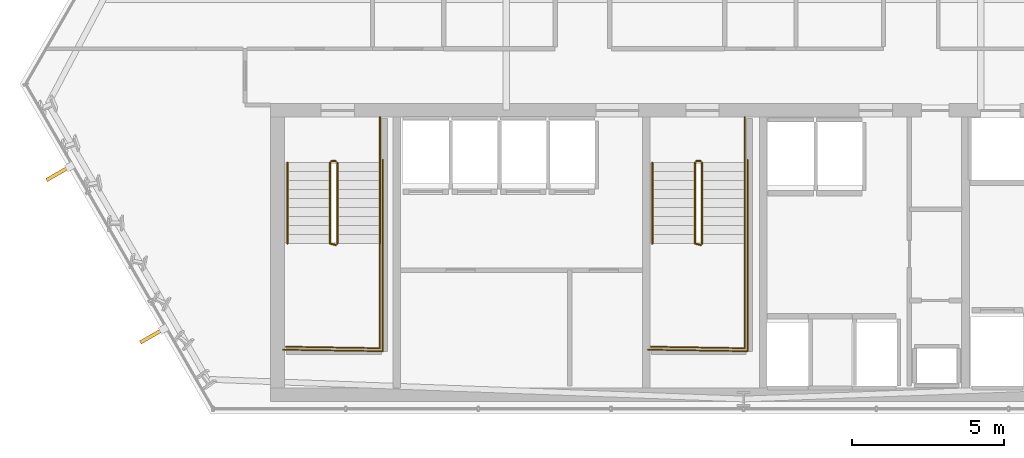
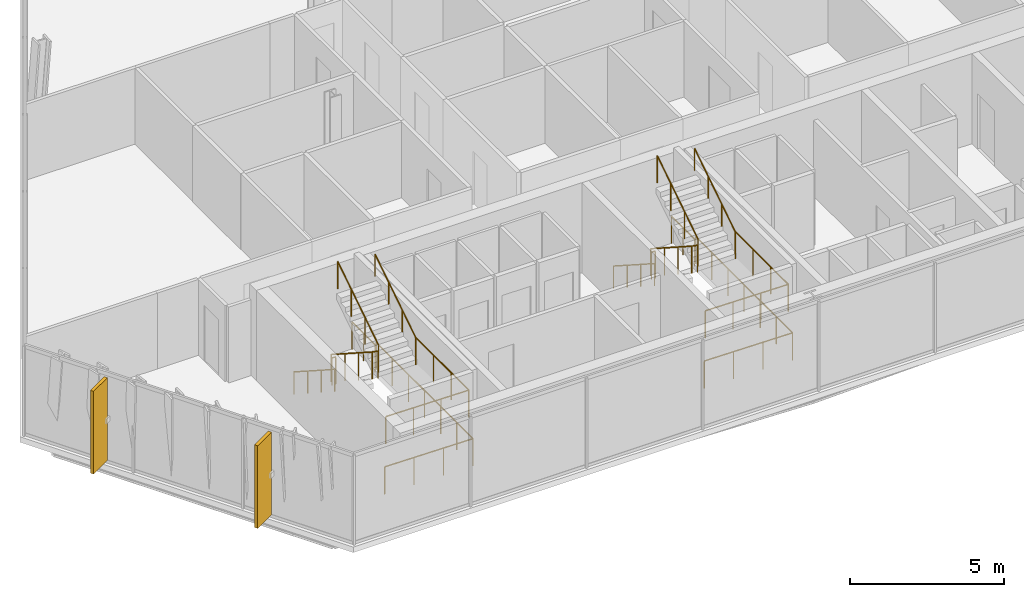
# One storey, part 29 of 32: 16 railings, 2 shading devices.
"""IFC4 building model written with IfcOpenShell, lengths in metres."""

from ifc_helpers import new_model, si_unit, direction, frame, origin, origin_2d, place, context, subcontext, project, spatial, rectangle, circle, extrude, material, layer, layer_set, type_object, element, save


model = new_model("IFC4")

# Units and contexts
model_context = context("Model", 3, precision=1e-05, world=origin(), true_north=direction((0.0, 1.0)))
body_context = subcontext(model_context, "Body", "Model", "MODEL_VIEW")
ifc_project = project(units=[si_unit("LENGTHUNIT", "METRE"), si_unit("AREAUNIT", "SQUARE_METRE"), si_unit("VOLUMEUNIT", "CUBIC_METRE"), si_unit("PLANEANGLEUNIT", "RADIAN"), si_unit("MASSUNIT", "GRAM", prefix="KILO")], contexts=[model_context])

# Site, building, storey
site_placement = place(None, origin())
site = spatial("IfcSite", under=ifc_project, at=site_placement, CompositionType="ELEMENT")
building_placement = place(site_placement, origin())
building = spatial("IfcBuilding", under=site, at=building_placement, Name="Ndaravel Arena Tower", CompositionType="ELEMENT")
storey_placement = place(building_placement, frame((0.0, 0.0, 134.60009765625)))
storey = spatial("IfcBuildingStorey", under=building, at=storey_placement, Name="L31", CompositionType="ELEMENT", Elevation=134.60009765625)

# Railings
ifc_material_1 = material(Name="Steel S355", Category="steel")
ifc_layer_1 = layer(ifc_material_1, 0.06005859375)
ifc_layer_set_1 = layer_set([ifc_layer_1], Name="Steel S355")
railing_type_1 = type_object("IfcRailingType", Name="RAIL-STAIR-GD1100", PredefinedType="GUARDRAIL", material=ifc_layer_set_1)
railing_1_placement = place(storey_placement, frame((28.39990234375, 13.25, 0.18994140625)))
element("IfcRailing", 1, at=railing_1_placement, inside=storey, type_object=railing_type_1, Name="L31 ST-1 stair guard 1", PredefinedType="GUARDRAIL", context=body_context, shape_type="SweptSolid", body=[
    extrude(circle(Radius=0.02392578125, at=origin_2d()), frame((0.0, 0.0, 1.076171875), z_axis=(0.0, -0.840723540582, 0.54146461409), x_axis=(1.0, 0.0, 0.0)), (0.0, 0.0, 1.0), 3.157958984375),
    extrude(circle(Radius=0.02392578125, at=origin_2d()), frame((0.0, -2.655029296875, 2.7861328125), z_axis=(0.967074537263, -0.25449329928, 0.0), x_axis=(0.25449329928, 0.967074537263, 0.0)), (0.0, 0.0, 1.0), 0.19677734375),
    extrude(circle(Radius=0.02099609375, at=origin_2d()), origin(), (0.0, 0.0, 1.0), 1.052001953125),
    extrude(circle(Radius=0.02099609375, at=origin_2d()), frame((0.0, -0.885009765625, 0.570068359375)), (0.0, 0.0, 1.0), 1.052001953125),
    extrude(circle(Radius=0.02099609375, at=origin_2d()), frame((0.0, -1.77001953125, 1.139892578125)), (0.0, 0.0, 1.0), 1.052001953125),
    extrude(circle(Radius=0.02099609375, at=origin_2d()), frame((0.0, -2.655029296875, 1.7099609375)), (0.0, 0.0, 1.0), 1.052001953125),
    extrude(circle(Radius=0.02099609375, at=origin_2d()), frame((0.190185546875, -2.705078125, 1.7099609375)), (0.0, 0.0, 1.0), 1.052001953125),
])
railing_2_placement = place(storey_placement, frame((30.0400390625, 10.594970703125, 1.89990234375)))
element("IfcRailing", 2, at=railing_2_placement, inside=storey, type_object=railing_type_1, Name="L31 ST-1 stair guard 2", PredefinedType="GUARDRAIL", context=body_context, shape_type="SweptSolid", body=[
    extrude(circle(Radius=0.02392578125, at=origin_2d()), frame((0.0, 0.0, 1.076171875), z_axis=(0.0, -1.0, 0.0), x_axis=(1.0, 0.0, 0.0)), (0.0, 0.0, 1.0), 3.445068359375),
    extrude(circle(Radius=0.02392578125, at=origin_2d()), frame((0.0, -3.445068359375, 1.076171875), z_axis=(-0.999868861343, 0.016194447071, 0.0), x_axis=(-0.016194447071, -0.999868861343, 0.0)), (0.0, 0.0, 1.0), 3.090576171875),
    extrude(circle(Radius=0.02099609375, at=origin_2d()), origin(), (0.0, 0.0, 1.0), 1.052001953125),
    extrude(circle(Radius=0.02099609375, at=origin_2d()), frame((0.0, -1.1484375, 0.0)), (0.0, 0.0, 1.0), 1.052001953125),
    extrude(circle(Radius=0.02099609375, at=origin_2d()), frame((0.0, -2.296630859375, 0.0)), (0.0, 0.0, 1.0), 1.052001953125),
    extrude(circle(Radius=0.02099609375, at=origin_2d()), frame((0.0, -3.445068359375, 0.0)), (0.0, 0.0, 1.0), 1.052001953125),
    extrude(circle(Radius=0.02099609375, at=origin_2d()), frame((-1.030029296875, -3.428466796875, 0.0)), (0.0, 0.0, 1.0), 1.052001953125),
    extrude(circle(Radius=0.02099609375, at=origin_2d()), frame((-2.06005859375, -3.41162109375, 0.0)), (0.0, 0.0, 1.0), 1.052001953125),
    extrude(circle(Radius=0.02099609375, at=origin_2d()), frame((-3.090087890625, -3.39501953125, 0.0)), (0.0, 0.0, 1.0), 1.052001953125),
])
railing_3_placement = place(storey_placement, frame((28.639892578125, 10.594970703125, 2.08984375)))
element("IfcRailing", 3, at=railing_3_placement, inside=storey, type_object=railing_type_1, Name="L31 ST-1 stair guard 3", PredefinedType="GUARDRAIL", context=body_context, shape_type="SweptSolid", body=[
    extrude(circle(Radius=0.02392578125, at=origin_2d()), frame((0.0, 0.0, 1.076171875), z_axis=(0.0, 0.840723540582, 0.54146461409), x_axis=(-1.0, 0.0, 0.0)), (0.0, 0.0, 1.0), 3.157958984375),
    extrude(circle(Radius=0.02099609375, at=origin_2d()), origin(), (0.0, 0.0, 1.0), 1.052001953125),
    extrude(circle(Radius=0.02099609375, at=origin_2d()), frame((0.0, 0.885009765625, 0.570068359375)), (0.0, 0.0, 1.0), 1.052001953125),
    extrude(circle(Radius=0.02099609375, at=origin_2d()), frame((0.0, 1.77001953125, 1.139892578125)), (0.0, 0.0, 1.0), 1.052001953125),
    extrude(circle(Radius=0.02099609375, at=origin_2d()), frame((0.0, 2.655029296875, 1.7099609375)), (0.0, 0.0, 1.0), 1.052001953125),
])
railing_4_placement = place(storey_placement, frame((28.449951171875, 13.300048828125, 0.0)))
element("IfcRailing", 4, at=railing_4_placement, inside=storey, type_object=railing_type_1, Name="L31 ST-1 stair guard 4", PredefinedType="GUARDRAIL", context=body_context, shape_type="SweptSolid", body=[
    extrude(circle(Radius=0.02392578125, at=origin_2d()), frame((0.0, 0.0, 1.076171875), z_axis=(1.0, 0.0, 0.0), x_axis=(0.0, 1.0, 0.0)), (0.0, 0.0, 1.0), 0.14013671875),
    extrude(circle(Radius=0.02099609375, at=origin_2d()), origin(), (0.0, 0.0, 1.0), 1.052001953125),
    extrude(circle(Radius=0.02099609375, at=origin_2d()), frame((0.14013671875, 0.0, 0.0)), (0.0, 0.0, 1.0), 1.052001953125),
])
railing_5_placement = place(storey_placement, frame((30.0400390625, 14.75, 0.0)))
element("IfcRailing", 5, at=railing_5_placement, inside=storey, type_object=railing_type_1, Name="L31 ST-1 stair guard 5", PredefinedType="GUARDRAIL", context=body_context, shape_type="SweptSolid", body=[
    extrude(circle(Radius=0.02392578125, at=origin_2d()), frame((0.0, 0.0, 1.076171875), z_axis=(0.0, -1.0, 0.0), x_axis=(1.0, 0.0, 0.0)), (0.0, 0.0, 1.0), 1.5),
    extrude(circle(Radius=0.02099609375, at=origin_2d()), origin(), (0.0, 0.0, 1.0), 1.052001953125),
    extrude(circle(Radius=0.02099609375, at=origin_2d()), frame((0.0, -0.75, 0.0)), (0.0, 0.0, 1.0), 1.052001953125),
    extrude(circle(Radius=0.02099609375, at=origin_2d()), frame((0.0, -1.5, 0.0)), (0.0, 0.0, 1.0), 1.052001953125),
])
railing_6_placement = place(storey_placement, frame((30.139892578125, 13.35009765625, 0.0)))
element("IfcRailing", 6, at=railing_6_placement, inside=storey, type_object=railing_type_1, Name="L31 ST-1 stair guard 6", PredefinedType="GUARDRAIL", context=body_context, shape_type="SweptSolid", body=[
    extrude(circle(Radius=0.02392578125, at=origin_2d()), frame((0.0, 0.0, 1.076171875), z_axis=(0.0, -1.0, 0.0), x_axis=(1.0, 0.0, 0.0)), (0.0, 0.0, 1.0), 6.300048828125),
    extrude(circle(Radius=0.02392578125, at=origin_2d()), frame((0.0, -6.300048828125, 1.076171875), z_axis=(-0.999884296952, 0.015211597839, 0.0), x_axis=(-0.015211597839, -0.999884296952, 0.0)), (0.0, 0.0, 1.0), 3.290283203125),
    extrude(circle(Radius=0.02099609375, at=origin_2d()), origin(), (0.0, 0.0, 1.0), 1.052001953125),
    extrude(circle(Radius=0.02099609375, at=origin_2d()), frame((0.0, -1.050048828125, 0.0)), (0.0, 0.0, 1.0), 1.052001953125),
    extrude(circle(Radius=0.02099609375, at=origin_2d()), frame((0.0, -2.10009765625, 0.0)), (0.0, 0.0, 1.0), 1.052001953125),
    extrude(circle(Radius=0.02099609375, at=origin_2d()), frame((0.0, -3.14990234375, 0.0)), (0.0, 0.0, 1.0), 1.052001953125),
    extrude(circle(Radius=0.02099609375, at=origin_2d()), frame((0.0, -4.199951171875, 0.0)), (0.0, 0.0, 1.0), 1.052001953125),
    extrude(circle(Radius=0.02099609375, at=origin_2d()), frame((0.0, -5.25, 0.0)), (0.0, 0.0, 1.0), 1.052001953125),
    extrude(circle(Radius=0.02099609375, at=origin_2d()), frame((0.0, -6.300048828125, 0.0)), (0.0, 0.0, 1.0), 1.052001953125),
    extrude(circle(Radius=0.02099609375, at=origin_2d()), frame((-1.0966796875, -6.283447265625, 0.0)), (0.0, 0.0, 1.0), 1.052001953125),
    extrude(circle(Radius=0.02099609375, at=origin_2d()), frame((-2.193115234375, -6.2666015625, 0.0)), (0.0, 0.0, 1.0), 1.052001953125),
    extrude(circle(Radius=0.02099609375, at=origin_2d()), frame((-3.289794921875, -6.25, 0.0)), (0.0, 0.0, 1.0), 1.052001953125),
])
railing_7_placement = place(storey_placement, frame((40.39990234375, 13.25, 0.18994140625)))
element("IfcRailing", 7, at=railing_7_placement, inside=storey, type_object=railing_type_1, Name="L31 ST-2 stair guard 1", PredefinedType="GUARDRAIL", context=body_context, shape_type="SweptSolid", body=[
    extrude(circle(Radius=0.02392578125, at=origin_2d()), frame((0.0, 0.0, 1.076171875), z_axis=(0.0, -0.840723540582, 0.54146461409), x_axis=(1.0, 0.0, 0.0)), (0.0, 0.0, 1.0), 3.157958984375),
    extrude(circle(Radius=0.02392578125, at=origin_2d()), frame((0.0, -2.655029296875, 2.7861328125), z_axis=(0.967074537263, -0.25449329928, 0.0), x_axis=(0.25449329928, 0.967074537263, 0.0)), (0.0, 0.0, 1.0), 0.19677734375),
    extrude(circle(Radius=0.02099609375, at=origin_2d()), origin(), (0.0, 0.0, 1.0), 1.052001953125),
    extrude(circle(Radius=0.02099609375, at=origin_2d()), frame((0.0, -0.885009765625, 0.570068359375)), (0.0, 0.0, 1.0), 1.052001953125),
    extrude(circle(Radius=0.02099609375, at=origin_2d()), frame((0.0, -1.77001953125, 1.139892578125)), (0.0, 0.0, 1.0), 1.052001953125),
    extrude(circle(Radius=0.02099609375, at=origin_2d()), frame((0.0, -2.655029296875, 1.7099609375)), (0.0, 0.0, 1.0), 1.052001953125),
    extrude(circle(Radius=0.02099609375, at=origin_2d()), frame((0.190185546875, -2.705078125, 1.7099609375)), (0.0, 0.0, 1.0), 1.052001953125),
])
railing_8_placement = place(storey_placement, frame((42.0400390625, 10.594970703125, 1.89990234375)))
element("IfcRailing", 8, at=railing_8_placement, inside=storey, type_object=railing_type_1, Name="L31 ST-2 stair guard 2", PredefinedType="GUARDRAIL", context=body_context, shape_type="SweptSolid", body=[
    extrude(circle(Radius=0.02392578125, at=origin_2d()), frame((0.0, 0.0, 1.076171875), z_axis=(0.0, -1.0, 0.0), x_axis=(1.0, 0.0, 0.0)), (0.0, 0.0, 1.0), 3.445068359375),
    extrude(circle(Radius=0.02392578125, at=origin_2d()), frame((0.0, -3.445068359375, 1.076171875), z_axis=(-0.999868861343, 0.016194447071, 0.0), x_axis=(-0.016194447071, -0.999868861343, 0.0)), (0.0, 0.0, 1.0), 3.090576171875),
    extrude(circle(Radius=0.02099609375, at=origin_2d()), origin(), (0.0, 0.0, 1.0), 1.052001953125),
    extrude(circle(Radius=0.02099609375, at=origin_2d()), frame((0.0, -1.1484375, 0.0)), (0.0, 0.0, 1.0), 1.052001953125),
    extrude(circle(Radius=0.02099609375, at=origin_2d()), frame((0.0, -2.296630859375, 0.0)), (0.0, 0.0, 1.0), 1.052001953125),
    extrude(circle(Radius=0.02099609375, at=origin_2d()), frame((0.0, -3.445068359375, 0.0)), (0.0, 0.0, 1.0), 1.052001953125),
    extrude(circle(Radius=0.02099609375, at=origin_2d()), frame((-1.030029296875, -3.428466796875, 0.0)), (0.0, 0.0, 1.0), 1.052001953125),
    extrude(circle(Radius=0.02099609375, at=origin_2d()), frame((-2.06005859375, -3.41162109375, 0.0)), (0.0, 0.0, 1.0), 1.052001953125),
    extrude(circle(Radius=0.02099609375, at=origin_2d()), frame((-3.090087890625, -3.39501953125, 0.0)), (0.0, 0.0, 1.0), 1.052001953125),
])
railing_9_placement = place(storey_placement, frame((40.639892578125, 10.594970703125, 2.08984375)))
element("IfcRailing", 9, at=railing_9_placement, inside=storey, type_object=railing_type_1, Name="L31 ST-2 stair guard 3", PredefinedType="GUARDRAIL", context=body_context, shape_type="SweptSolid", body=[
    extrude(circle(Radius=0.02392578125, at=origin_2d()), frame((0.0, 0.0, 1.076171875), z_axis=(0.0, 0.840723540582, 0.54146461409), x_axis=(-1.0, 0.0, 0.0)), (0.0, 0.0, 1.0), 3.157958984375),
    extrude(circle(Radius=0.02099609375, at=origin_2d()), origin(), (0.0, 0.0, 1.0), 1.052001953125),
    extrude(circle(Radius=0.02099609375, at=origin_2d()), frame((0.0, 0.885009765625, 0.570068359375)), (0.0, 0.0, 1.0), 1.052001953125),
    extrude(circle(Radius=0.02099609375, at=origin_2d()), frame((0.0, 1.77001953125, 1.139892578125)), (0.0, 0.0, 1.0), 1.052001953125),
    extrude(circle(Radius=0.02099609375, at=origin_2d()), frame((0.0, 2.655029296875, 1.7099609375)), (0.0, 0.0, 1.0), 1.052001953125),
])
railing_10_placement = place(storey_placement, frame((40.449951171875, 13.300048828125, 0.0)))
element("IfcRailing", 10, at=railing_10_placement, inside=storey, type_object=railing_type_1, Name="L31 ST-2 stair guard 4", PredefinedType="GUARDRAIL", context=body_context, shape_type="SweptSolid", body=[
    extrude(circle(Radius=0.02392578125, at=origin_2d()), frame((0.0, 0.0, 1.076171875), z_axis=(1.0, 0.0, 0.0), x_axis=(0.0, 1.0, 0.0)), (0.0, 0.0, 1.0), 0.14013671875),
    extrude(circle(Radius=0.02099609375, at=origin_2d()), origin(), (0.0, 0.0, 1.0), 1.052001953125),
    extrude(circle(Radius=0.02099609375, at=origin_2d()), frame((0.14013671875, 0.0, 0.0)), (0.0, 0.0, 1.0), 1.052001953125),
])
railing_11_placement = place(storey_placement, frame((42.0400390625, 14.75, 0.0)))
element("IfcRailing", 11, at=railing_11_placement, inside=storey, type_object=railing_type_1, Name="L31 ST-2 stair guard 5", PredefinedType="GUARDRAIL", context=body_context, shape_type="SweptSolid", body=[
    extrude(circle(Radius=0.02392578125, at=origin_2d()), frame((0.0, 0.0, 1.076171875), z_axis=(0.0, -1.0, 0.0), x_axis=(1.0, 0.0, 0.0)), (0.0, 0.0, 1.0), 1.5),
    extrude(circle(Radius=0.02099609375, at=origin_2d()), origin(), (0.0, 0.0, 1.0), 1.052001953125),
    extrude(circle(Radius=0.02099609375, at=origin_2d()), frame((0.0, -0.75, 0.0)), (0.0, 0.0, 1.0), 1.052001953125),
    extrude(circle(Radius=0.02099609375, at=origin_2d()), frame((0.0, -1.5, 0.0)), (0.0, 0.0, 1.0), 1.052001953125),
])
railing_12_placement = place(storey_placement, frame((42.139892578125, 13.35009765625, 0.0)))
element("IfcRailing", 12, at=railing_12_placement, inside=storey, type_object=railing_type_1, Name="L31 ST-2 stair guard 6", PredefinedType="GUARDRAIL", context=body_context, shape_type="SweptSolid", body=[
    extrude(circle(Radius=0.02392578125, at=origin_2d()), frame((0.0, 0.0, 1.076171875), z_axis=(0.0, -1.0, 0.0), x_axis=(1.0, 0.0, 0.0)), (0.0, 0.0, 1.0), 6.300048828125),
    extrude(circle(Radius=0.02392578125, at=origin_2d()), frame((0.0, -6.300048828125, 1.076171875), z_axis=(-0.999884296952, 0.015211597839, 0.0), x_axis=(-0.015211597839, -0.999884296952, 0.0)), (0.0, 0.0, 1.0), 3.290283203125),
    extrude(circle(Radius=0.02099609375, at=origin_2d()), origin(), (0.0, 0.0, 1.0), 1.052001953125),
    extrude(circle(Radius=0.02099609375, at=origin_2d()), frame((0.0, -1.050048828125, 0.0)), (0.0, 0.0, 1.0), 1.052001953125),
    extrude(circle(Radius=0.02099609375, at=origin_2d()), frame((0.0, -2.10009765625, 0.0)), (0.0, 0.0, 1.0), 1.052001953125),
    extrude(circle(Radius=0.02099609375, at=origin_2d()), frame((0.0, -3.14990234375, 0.0)), (0.0, 0.0, 1.0), 1.052001953125),
    extrude(circle(Radius=0.02099609375, at=origin_2d()), frame((0.0, -4.199951171875, 0.0)), (0.0, 0.0, 1.0), 1.052001953125),
    extrude(circle(Radius=0.02099609375, at=origin_2d()), frame((0.0, -5.25, 0.0)), (0.0, 0.0, 1.0), 1.052001953125),
    extrude(circle(Radius=0.02099609375, at=origin_2d()), frame((0.0, -6.300048828125, 0.0)), (0.0, 0.0, 1.0), 1.052001953125),
    extrude(circle(Radius=0.02099609375, at=origin_2d()), frame((-1.0966796875, -6.283447265625, 0.0)), (0.0, 0.0, 1.0), 1.052001953125),
    extrude(circle(Radius=0.02099609375, at=origin_2d()), frame((-2.193115234375, -6.2666015625, 0.0)), (0.0, 0.0, 1.0), 1.052001953125),
    extrude(circle(Radius=0.02099609375, at=origin_2d()), frame((-3.289794921875, -6.25, 0.0)), (0.0, 0.0, 1.0), 1.052001953125),
])
ifc_material_2 = material(Name="Steel S355", Category="steel")
ifc_layer_2 = layer(ifc_material_2, 0.050048828125)
ifc_layer_set_2 = layer_set([ifc_layer_2], Name="Steel S355")
railing_type_2 = type_object("IfcRailingType", Name="RAIL-STAIR-HR920", PredefinedType="HANDRAIL", material=ifc_layer_set_2)
railing_13_placement = place(storey_placement, frame((27.0, 13.25, 0.18994140625)))
element("IfcRailing", 13, at=railing_13_placement, inside=storey, type_object=railing_type_2, Name="L31 ST-1 stair handrail 1", PredefinedType="HANDRAIL", context=body_context, shape_type="SweptSolid", body=[
    extrude(circle(Radius=0.02392578125, at=origin_2d()), frame((0.0, 0.0, 0.8759765625), z_axis=(0.0, -0.840723540582, 0.54146461409), x_axis=(1.0, 0.0, 0.0)), (0.0, 0.0, 1.0), 3.157958984375),
    extrude(circle(Radius=0.02099609375, at=origin_2d()), origin(), (0.0, 0.0, 1.0), 0.851806640625),
    extrude(circle(Radius=0.02099609375, at=origin_2d()), frame((0.0, -0.885009765625, 0.570068359375)), (0.0, 0.0, 1.0), 0.851806640625),
    extrude(circle(Radius=0.02099609375, at=origin_2d()), frame((0.0, -1.77001953125, 1.139892578125)), (0.0, 0.0, 1.0), 0.851806640625),
    extrude(circle(Radius=0.02099609375, at=origin_2d()), frame((0.0, -2.655029296875, 1.7099609375)), (0.0, 0.0, 1.0), 0.851806640625),
])
railing_14_placement = place(storey_placement, frame((30.0400390625, 10.594970703125, 2.08984375)))
element("IfcRailing", 14, at=railing_14_placement, inside=storey, type_object=railing_type_2, Name="L31 ST-1 stair handrail 2", PredefinedType="HANDRAIL", context=body_context, shape_type="SweptSolid", body=[
    extrude(circle(Radius=0.02392578125, at=origin_2d()), frame((0.0, 0.0, 0.8759765625), z_axis=(0.0, 0.840723540582, 0.54146461409), x_axis=(-1.0, 0.0, 0.0)), (0.0, 0.0, 1.0), 3.157958984375),
    extrude(circle(Radius=0.02099609375, at=origin_2d()), origin(), (0.0, 0.0, 1.0), 0.851806640625),
    extrude(circle(Radius=0.02099609375, at=origin_2d()), frame((0.0, 0.885009765625, 0.570068359375)), (0.0, 0.0, 1.0), 0.851806640625),
    extrude(circle(Radius=0.02099609375, at=origin_2d()), frame((0.0, 1.77001953125, 1.139892578125)), (0.0, 0.0, 1.0), 0.851806640625),
    extrude(circle(Radius=0.02099609375, at=origin_2d()), frame((0.0, 2.655029296875, 1.7099609375)), (0.0, 0.0, 1.0), 0.851806640625),
])
railing_15_placement = place(storey_placement, frame((39.0, 13.25, 0.18994140625)))
element("IfcRailing", 15, at=railing_15_placement, inside=storey, type_object=railing_type_2, Name="L31 ST-2 stair handrail 1", PredefinedType="HANDRAIL", context=body_context, shape_type="SweptSolid", body=[
    extrude(circle(Radius=0.02392578125, at=origin_2d()), frame((0.0, 0.0, 0.8759765625), z_axis=(0.0, -0.840723540582, 0.54146461409), x_axis=(1.0, 0.0, 0.0)), (0.0, 0.0, 1.0), 3.157958984375),
    extrude(circle(Radius=0.02099609375, at=origin_2d()), origin(), (0.0, 0.0, 1.0), 0.851806640625),
    extrude(circle(Radius=0.02099609375, at=origin_2d()), frame((0.0, -0.885009765625, 0.570068359375)), (0.0, 0.0, 1.0), 0.851806640625),
    extrude(circle(Radius=0.02099609375, at=origin_2d()), frame((0.0, -1.77001953125, 1.139892578125)), (0.0, 0.0, 1.0), 0.851806640625),
    extrude(circle(Radius=0.02099609375, at=origin_2d()), frame((0.0, -2.655029296875, 1.7099609375)), (0.0, 0.0, 1.0), 0.851806640625),
])
railing_16_placement = place(storey_placement, frame((42.0400390625, 10.594970703125, 2.08984375)))
element("IfcRailing", 16, at=railing_16_placement, inside=storey, type_object=railing_type_2, Name="L31 ST-2 stair handrail 2", PredefinedType="HANDRAIL", context=body_context, shape_type="SweptSolid", body=[
    extrude(circle(Radius=0.02392578125, at=origin_2d()), frame((0.0, 0.0, 0.8759765625), z_axis=(0.0, 0.840723540582, 0.54146461409), x_axis=(-1.0, 0.0, 0.0)), (0.0, 0.0, 1.0), 3.157958984375),
    extrude(circle(Radius=0.02099609375, at=origin_2d()), origin(), (0.0, 0.0, 1.0), 0.851806640625),
    extrude(circle(Radius=0.02099609375, at=origin_2d()), frame((0.0, 0.885009765625, 0.570068359375)), (0.0, 0.0, 1.0), 0.851806640625),
    extrude(circle(Radius=0.02099609375, at=origin_2d()), frame((0.0, 1.77001953125, 1.139892578125)), (0.0, 0.0, 1.0), 0.851806640625),
    extrude(circle(Radius=0.02099609375, at=origin_2d()), frame((0.0, 2.655029296875, 1.7099609375)), (0.0, 0.0, 1.0), 0.851806640625),
])

# Shading devices
ifc_material_3 = material(Name="Masonry", Category="masonry")
shading_device_type = type_object("IfcShadingDeviceType", Name="SHD-MAZERAS-FIN", PredefinedType="SHUTTER", material=ifc_material_3)
for number, where, z_axis, x_axis, name in (
    (17, (19.468017578125, 12.90380859375, 0.14990234375), (0.0, 0.0, 1.0), (-0.866025403784, -0.5, 0.0), "L31 Mazeras Stone Solar Fin E6.1"),
    (18, (22.55126953125, 7.563232421875, 0.14990234375), (0.0, 0.0, 1.0), (-0.866025403784, -0.5, 0.0), "L31 Mazeras Stone Solar Fin E6.2"),
):
    element("IfcShadingDevice", number, at=place(storey_placement, frame(where, z_axis=z_axis, x_axis=x_axis)), inside=storey, type_object=shading_device_type, Name=name, PredefinedType="SHUTTER", context=body_context, shape_type="SweptSolid", body=[
        extrude(rectangle(XDim=0.89990234375, YDim=0.1201171875, at=origin_2d()), origin(), (0.0, 0.0, 1.0), 3.280029296875),
    ])

save(model, "model.ifc")
